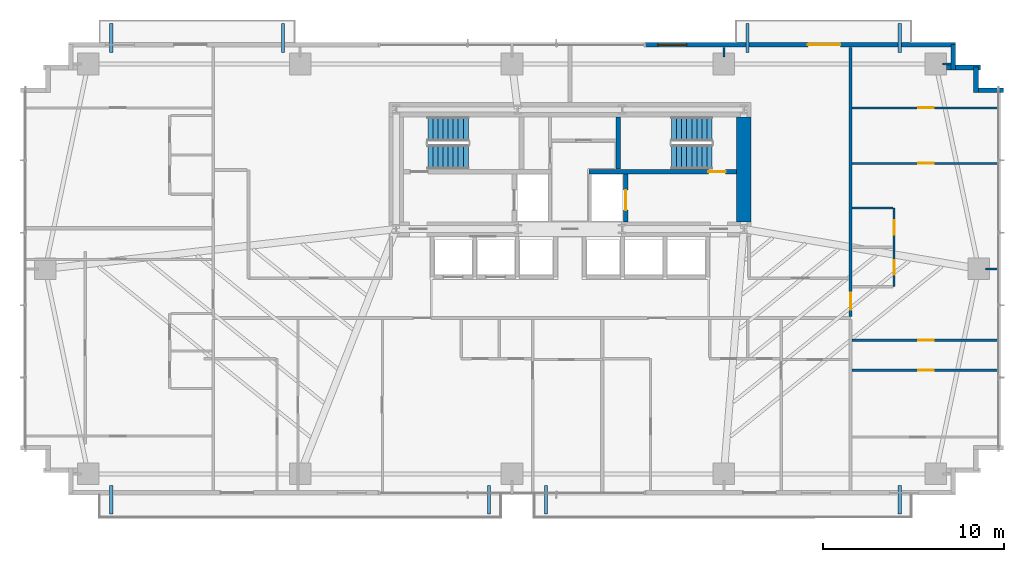
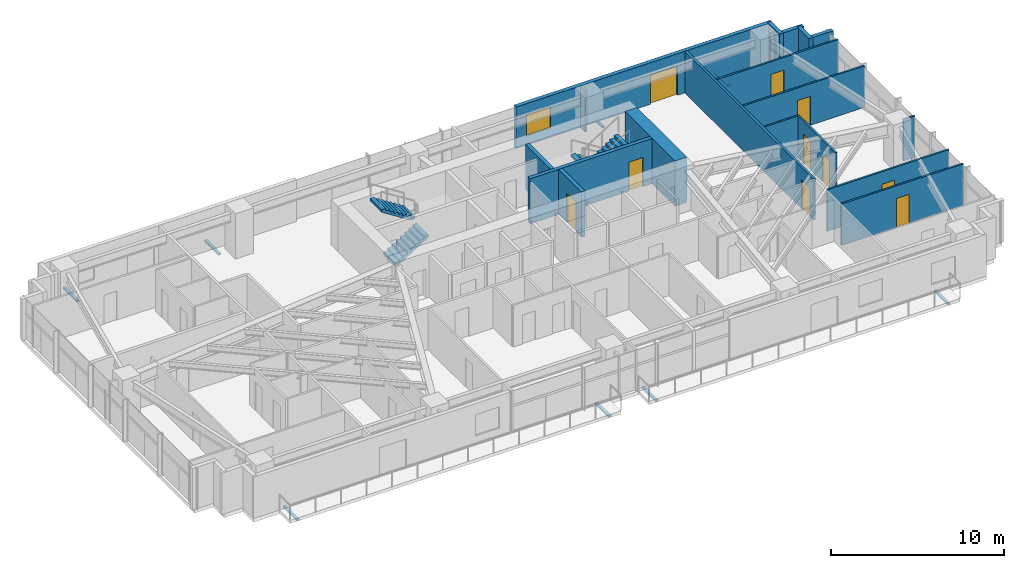
# One storey, part 22 of 25: 19 walls, 10 doors, 8 discrete accessories, 4 stair flights, 1 window, 11 openings, 2 elements without a shape of their own.
"""IFC4 building model written with IfcOpenShell, lengths in metres."""

from ifc_helpers import new_model, si_unit, direction, frame, frame_2d, origin, origin_2d, place, context, subcontext, project, spatial, polyline, rectangle, outline, extrude, source, transform, mapped, material, layer, layer_set, type_object, type_shapes, element, fill, aggregate, save


model = new_model("IFC4")

# Units and contexts
model_context = context("Model", 3, precision=1e-05, world=origin(), true_north=direction((0.0, 1.0)))
body_context = subcontext(model_context, "Body", "Model", "MODEL_VIEW")
ifc_project = project(units=[si_unit("LENGTHUNIT", "METRE"), si_unit("AREAUNIT", "SQUARE_METRE"), si_unit("VOLUMEUNIT", "CUBIC_METRE"), si_unit("PLANEANGLEUNIT", "RADIAN"), si_unit("MASSUNIT", "GRAM", prefix="KILO")], contexts=[model_context])

# Site, building, storey
site_placement = place(None, origin())
site = spatial("IfcSite", under=ifc_project, at=site_placement, CompositionType="ELEMENT")
building_placement = place(site_placement, origin())
building = spatial("IfcBuilding", under=site, at=building_placement, Name="Astriad Promenade Condominiums", CompositionType="ELEMENT")
storey_placement = place(building_placement, frame((0.0, 0.0, 35.800048828125)))
storey = spatial("IfcBuildingStorey", under=building, at=storey_placement, Name="L09", CompositionType="ELEMENT", Elevation=35.800048828125)

# Wall
ifc_material_1 = material(Name="Concrete C80/95", Category="concrete")
ifc_layer_1 = layer(ifc_material_1, 0.800048828125)
ifc_layer_set_1 = layer_set([ifc_layer_1], Name="Concrete C80/95")
wall_type_1 = type_object("IfcWallType", Name="CW-SHEAR-800", PredefinedType="SHEAR", material=ifc_layer_set_1)
wall_1_placement = place(storey_placement, frame((45.60009765625, 17.802001953125, 0.0), z_axis=(0.0, 0.0, 1.0), x_axis=(0.0, 1.0, 0.0)))
element("IfcWall", 1, at=wall_1_placement, inside=storey, type_object=wall_type_1, Name="CW-CORE-E-L09", PredefinedType="SHEAR", context=body_context, shape_type="SweptSolid", body=[
    extrude(rectangle(XDim=5.7958984375, YDim=0.800048828125, at=frame_2d((2.89794921875, 0.0))), origin(), (0.0, 0.0, 1.0), 3.199951171875),
])

# Wall, opening, door
ifc_material_2 = material(Name="Concrete C50/60", Category="concrete")
ifc_layer_2 = layer(ifc_material_2, 0.25)
ifc_layer_set_2 = layer_set([ifc_layer_2], Name="Concrete C50/60")
wall_type_2 = type_object("IfcWallType", Name="WALL-CORE-INT-250", PredefinedType="SOLIDWALL", material=ifc_layer_set_2)
wall_2_placement = place(storey_placement, frame((37.050048828125, 20.574951171875, 0.0), z_axis=(0.0, 0.0, 1.0), x_axis=(1.0, 0.0, 0.0)))
wall_2 = element("IfcWall", 2, at=wall_2_placement, inside=storey, type_object=wall_type_2, Name="CW-INT-H2-L09", PredefinedType="SOLIDWALL", context=body_context, shape_type="SweptSolid", body=[
    extrude(rectangle(XDim=8.14794921875, YDim=0.25, at=frame_2d((4.073974609375, 0.0))), origin(), (0.0, 0.0, 1.0), 3.199951171875),
])
opening_1_placement = place(wall_2_placement, frame((6.60009765625, 0.0, 0.0)))
opening_1 = element("IfcOpeningElement", 3, at=opening_1_placement, cuts=wall_2, Name="Opening FD90-ST-095", PredefinedType="OPENING", context=body_context, shape_type="SweptSolid", body=[
    extrude(rectangle(XDim=0.949951171875, YDim=2.06005859375, at=frame_2d((0.47509765625, 1.030029296875))), frame((0.0, 0.135009765625, 0.0), z_axis=(0.0, -1.0, 0.0), x_axis=(1.0, 0.0, 0.0)), (0.0, 0.0, 1.0), 0.27001953125),
])
ifc_material_3 = material(Name="Fire-Rated Hollow Metal Stair Door")
door_type_1 = type_object("IfcDoorType", Name="FD90-ST-095", OperationType="NOTDEFINED", PredefinedType="DOOR", material=ifc_material_3)
shared_shape_1 = source(origin(), body_context, "Body", "SweptSolid", [
    extrude(rectangle(XDim=0.949951171875, YDim=2.06005859375, at=frame_2d((0.47509765625, 1.030029296875))), frame((0.0, 0.02490234375, 0.0), z_axis=(0.0, -1.0, 0.0), x_axis=(1.0, 0.0, 0.0)), (0.0, 0.0, 1.0), 0.050048828125),
])
type_shapes(door_type_1, [shared_shape_1])
door_1_placement = place(opening_1_placement, origin())
door_1 = element("IfcDoor", 4, at=door_1_placement, inside=storey, type_object=door_type_1, Name="D-ST2-L09", OperationType="SINGLE_SWING_RIGHT", OverallHeight=2.06005859375, OverallWidth=0.949951171875, PredefinedType="DOOR", context=body_context, shape_type="MappedRepresentation", body=[
    mapped(shared_shape_1, transform((0.0, 0.0, 0.0), scale=1.0)),
])
fill(opening_1, door_1)

# Wall
wall_3_placement = place(storey_placement, frame((38.675048828125, 20.701904296875, 0.0), z_axis=(0.0, 0.0, 1.0), x_axis=(0.0, 1.0, 0.0)))
element("IfcWall", 5, at=wall_3_placement, inside=storey, type_object=wall_type_2, Name="CW-ST2-W-L09", PredefinedType="SOLIDWALL", context=body_context, shape_type="SweptSolid", body=[
    extrude(rectangle(XDim=2.89599609375, YDim=0.25, at=frame_2d((1.447998046875, 0.0))), origin(), (0.0, 0.0, 1.0), 3.199951171875),
])

# Wall, opening, door
wall_4_placement = place(storey_placement, frame((39.074951171875, 17.802001953125, 0.0), z_axis=(0.0, 0.0, 1.0), x_axis=(0.0, 1.0, 0.0)))
wall_4 = element("IfcWall", 6, at=wall_4_placement, inside=storey, type_object=wall_type_2, Name="CW-FFL2-E-L09", PredefinedType="SOLIDWALL", context=body_context, shape_type="SweptSolid", body=[
    extrude(rectangle(XDim=2.64599609375, YDim=0.25, at=frame_2d((1.322998046875, 0.0))), origin(), (0.0, 0.0, 1.0), 3.199951171875),
])
opening_2_placement = place(wall_4_placement, frame((0.64794921875, 0.0, 0.0)))
opening_2 = element("IfcOpeningElement", 7, at=opening_2_placement, cuts=wall_4, Name="Opening LD-FFL-1122", PredefinedType="OPENING", context=body_context, shape_type="SweptSolid", body=[
    extrude(rectangle(XDim=1.10009765625, YDim=2.080078125, at=frame_2d((0.550048828125, 1.0400390625))), frame((0.0, 0.135009765625, 0.0), z_axis=(0.0, -1.0, 0.0), x_axis=(1.0, 0.0, 0.0)), (0.0, 0.0, 1.0), 0.27001953125),
])
ifc_material_4 = material(Name="Brushed Stainless Steel Fire Elevator Landing Door", Category="steel")
door_type_2 = type_object("IfcDoorType", Name="LD-FFL-1122", OperationType="NOTDEFINED", PredefinedType="DOOR", material=ifc_material_4)
shared_shape_2 = source(origin(), body_context, "Body", "SweptSolid", [
    extrude(rectangle(XDim=1.10009765625, YDim=2.080078125, at=frame_2d((0.550048828125, 1.0400390625))), frame((0.0, 0.02490234375, 0.0), z_axis=(0.0, -1.0, 0.0), x_axis=(1.0, 0.0, 0.0)), (0.0, 0.0, 1.0), 0.050048828125),
])
type_shapes(door_type_2, [shared_shape_2])
door_2_placement = place(opening_2_placement, origin())
door_2 = element("IfcDoor", 8, at=door_2_placement, inside=storey, type_object=door_type_2, Name="Elevator Landing Door FFL-2 (L09)", OperationType="SLIDING_TO_RIGHT", OverallHeight=2.080078125, OverallWidth=1.10009765625, PredefinedType="DOOR", context=body_context, shape_type="MappedRepresentation", body=[
    mapped(shared_shape_2, transform((0.0, 0.0, 0.0), scale=1.0)),
])
fill(opening_2, door_2)

ifc_material_5 = material(Name="Fire-Rated Gypsum Partition")
ifc_layer_3 = layer(ifc_material_5, 0.159912109375)
ifc_layer_set_3 = layer_set([ifc_layer_3], Name="Fire-Rated Gypsum Partition")
wall_type_3 = type_object("IfcWallType", Name="WALL-CORR-160", PredefinedType="PARTITIONING", material=ifc_layer_set_3)
wall_5_placement = place(storey_placement, frame((51.5, 12.572021484375, 0.0), z_axis=(0.0, 0.0, 1.0), x_axis=(0.0, 1.0, 0.0)))
wall_5 = element("IfcWall", 9, at=wall_5_placement, inside=storey, type_object=wall_type_3, Name="PT-COR-E-L09-S2", PredefinedType="PARTITIONING", context=body_context, shape_type="SweptSolid", body=[
    extrude(rectangle(XDim=14.865966796875, YDim=0.159912109375, at=frame_2d((7.43310546875, 0.0))), origin(), (0.0, 0.0, 1.0), 2.93994140625),
])
opening_3_placement = place(wall_5_placement, frame((0.3701171875, 0.0, 0.0)))
opening_3 = element("IfcOpeningElement", 10, at=opening_3_placement, cuts=wall_5, Name="Opening FD60-APT-095", PredefinedType="OPENING", context=body_context, shape_type="SweptSolid", body=[
    extrude(rectangle(XDim=0.949951171875, YDim=2.06005859375, at=frame_2d((0.47509765625, 1.030029296875))), frame((0.0, 0.08984375, 0.0), z_axis=(0.0, -1.0, 0.0), x_axis=(1.0, 0.0, 0.0)), (0.0, 0.0, 1.0), 0.179931640625),
])
ifc_material_6 = material(Name="Solid-Core Acoustic Timber Residence Entry Door", Category="wood")
door_type_3 = type_object("IfcDoorType", Name="FD60-APT-095", OperationType="NOTDEFINED", PredefinedType="DOOR", material=ifc_material_6)
shared_shape_3 = source(origin(), body_context, "Body", "SweptSolid", [
    extrude(rectangle(XDim=0.949951171875, YDim=2.06005859375, at=frame_2d((0.47509765625, 1.030029296875))), frame((0.0, 0.02490234375, 0.0), z_axis=(0.0, -1.0, 0.0), x_axis=(1.0, 0.0, 0.0)), (0.0, 0.0, 1.0), 0.050048828125),
])
type_shapes(door_type_3, [shared_shape_3])
door_3_placement = place(opening_3_placement, origin())
door_3 = element("IfcDoor", 11, at=door_3_placement, inside=storey, type_object=door_type_3, Name="D-ENT-L09-E1", OperationType="SINGLE_SWING_LEFT", OverallHeight=2.06005859375, OverallWidth=0.949951171875, PredefinedType="DOOR", context=body_context, shape_type="MappedRepresentation", body=[
    mapped(shared_shape_3, transform((0.0, 0.0, 0.0), scale=1.0)),
])
fill(opening_3, door_3)

# Wall, openings, door, window
ifc_material_7 = material(Name="Precast concrete C50/60", Category="concrete")
ifc_layer_4 = layer(ifc_material_7, 0.260009765625)
ifc_layer_set_4 = layer_set([ifc_layer_4], Name="Precast concrete C50/60")
wall_type_4 = type_object("IfcWallType", Name="WALL-EXT-TWR-260", PredefinedType="STANDARD", material=ifc_layer_set_4)
wall_6_placement = place(storey_placement, frame((40.14990234375, 27.570068359375, 0.0), z_axis=(0.0, 0.0, 1.0), x_axis=(1.0, 0.0, 0.0)))
wall_6 = element("IfcWall", 12, at=wall_6_placement, inside=storey, type_object=wall_type_4, Name="W-EXT-L09-N2", PredefinedType="STANDARD", context=body_context, shape_type="SweptSolid", body=[
    extrude(rectangle(XDim=17.150146484375, YDim=0.260009765625, at=frame_2d((8.5751953125, 0.0))), origin(), (0.0, 0.0, 1.0), 2.93994140625),
])
opening_4_placement = place(wall_6_placement, frame((8.989990234375, 0.0, 0.0)))
opening_4 = element("IfcOpeningElement", 13, at=opening_4_placement, cuts=wall_6, Name="Opening BD-1822-SLD", PredefinedType="OPENING", context=body_context, shape_type="SweptSolid", body=[
    extrude(rectangle(XDim=1.800048828125, YDim=2.06005859375, at=frame_2d((0.89990234375, 1.030029296875))), frame((0.0, 0.139892578125, 0.0), z_axis=(0.0, -1.0, 0.0), x_axis=(1.0, 0.0, 0.0)), (0.0, 0.0, 1.0), 0.280029296875),
])
opening_5_placement = place(wall_6_placement, frame((0.699951171875, 0.0, 0.64990234375)))
opening_5 = element("IfcOpeningElement", 14, at=opening_5_placement, cuts=wall_6, Name="Opening WIN-TWR-1620", PredefinedType="OPENING", context=body_context, shape_type="SweptSolid", body=[
    extrude(rectangle(XDim=1.60009765625, YDim=1.5, at=frame_2d((0.800048828125, 0.75))), frame((0.0, 0.139892578125, 0.0), z_axis=(0.0, -1.0, 0.0), x_axis=(1.0, 0.0, 0.0)), (0.0, 0.0, 1.0), 0.280029296875),
])
ifc_material_8 = material(Name="Thermally Broken Aluminium Sliding Balcony Door", Category="aluminium")
door_type_4 = type_object("IfcDoorType", Name="BD-1822-SLD", OperationType="NOTDEFINED", PredefinedType="DOOR", material=ifc_material_8)
shared_shape_4 = source(origin(), body_context, "Body", "SweptSolid", [
    extrude(rectangle(XDim=1.800048828125, YDim=2.06005859375, at=frame_2d((0.89990234375, 1.030029296875))), frame((0.0, 0.02490234375, 0.0), z_axis=(0.0, -1.0, 0.0), x_axis=(1.0, 0.0, 0.0)), (0.0, 0.0, 1.0), 0.050048828125),
])
type_shapes(door_type_4, [shared_shape_4])
door_4_placement = place(opening_4_placement, origin())
door_4 = element("IfcDoor", 15, at=door_4_placement, inside=storey, type_object=door_type_4, Name="BD-L09-NE", OperationType="SLIDING_TO_RIGHT", OverallHeight=2.06005859375, OverallWidth=1.800048828125, PredefinedType="DOOR", context=body_context, shape_type="MappedRepresentation", body=[
    mapped(shared_shape_4, transform((0.0, 0.0, 0.0), scale=1.0)),
])
fill(opening_4, door_4)
ifc_material_9 = material(Name="Dark Tinted Triple-Glazed Aluminium Window", Category="aluminium")
window_type = type_object("IfcWindowType", Name="WIN-TWR-1620", PartitioningType="SINGLE_PANEL", PredefinedType="WINDOW", material=ifc_material_9)
shared_shape_5 = source(origin(), body_context, "Body", "SweptSolid", [
    extrude(rectangle(XDim=1.60009765625, YDim=1.5, at=frame_2d((0.800048828125, 0.75))), frame((0.0, 0.030029296875, 0.0), z_axis=(0.0, -1.0, 0.0), x_axis=(1.0, 0.0, 0.0)), (0.0, 0.0, 1.0), 0.06005859375),
])
type_shapes(window_type, [shared_shape_5])
window_placement = place(opening_5_placement, origin())
window = element("IfcWindow", 16, at=window_placement, inside=storey, type_object=window_type, Name="WIN-L09-NE", OverallHeight=1.5, OverallWidth=1.60009765625, PartitioningType="SINGLE_PANEL", PredefinedType="WINDOW", context=body_context, shape_type="MappedRepresentation", body=[
    mapped(shared_shape_5, transform((0.0, 0.0, 0.0), scale=1.0)),
])
fill(opening_5, window)

# Walls
wall_7_placement = place(storey_placement, frame((57.169921875, 27.5849609375, 0.0), z_axis=(0.0, 0.0, 1.0), x_axis=(0.0, -1.0, 0.0)))
element("IfcWall", 17, at=wall_7_placement, inside=storey, type_object=wall_type_4, Name="W-SER-L09-09", PredefinedType="STANDARD", context=body_context, shape_type="SweptSolid", body=[
    extrude(rectangle(XDim=1.39501953125, YDim=0.260009765625, at=frame_2d((0.697509765625, 0.0))), origin(), (0.0, 0.0, 1.0), 2.93994140625),
])
wall_8_placement = place(storey_placement, frame((56.802001953125, 26.320068359375, 0.0), z_axis=(0.0, 0.0, 1.0), x_axis=(1.0, 0.0, 0.0)))
element("IfcWall", 18, at=wall_8_placement, inside=storey, type_object=wall_type_4, Name="W-SER-L09-10", PredefinedType="STANDARD", context=body_context, shape_type="SweptSolid", body=[
    extrude(rectangle(XDim=1.8779296875, YDim=0.260009765625, at=frame_2d((0.93896484375, 0.0))), origin(), (0.0, 0.0, 1.0), 2.93994140625),
])
for number, where, z_axis, x_axis, name in (
    (19, (58.419921875, 26.3349609375, 0.0), (0.0, 0.0, 1.0), (0.0, -1.0, 0.0), "W-SER-L09-11"),
    (20, (58.534912109375, 25.070068359375, 0.0), (0.0, 0.0, 1.0), (1.0, 0.0, 0.0), "W-SER-L09-12"),
):
    element("IfcWall", number, at=place(storey_placement, frame(where, z_axis=z_axis, x_axis=x_axis)), inside=storey, type_object=wall_type_4, Name=name, PredefinedType="STANDARD", context=body_context, shape_type="SweptSolid", body=[
        extrude(rectangle(XDim=1.39501953125, YDim=0.260009765625, at=frame_2d((0.697509765625, 0.0))), origin(), (0.0, 0.0, 1.0), 2.93994140625),
    ])

# Wall, openings, doors
ifc_material_10 = material(Name="Acoustic Metal-Stud Gypsum Partition")
ifc_layer_5 = layer(ifc_material_10, 0.1201171875)
ifc_layer_set_5 = layer_set([ifc_layer_5], Name="Acoustic Metal-Stud Gypsum Partition")
wall_type_5 = type_object("IfcWallType", Name="WALL-PART-120", PredefinedType="PARTITIONING", material=ifc_layer_set_5)
wall_9_placement = place(storey_placement, frame((53.89990234375, 14.217041015625, 0.0), z_axis=(0.0, 0.0, 1.0), x_axis=(0.0, 1.0, 0.0)))
wall_9 = element("IfcWall", 21, at=wall_9_placement, inside=storey, type_object=wall_type_5, Name="PT-L09-E1-PV", PredefinedType="PARTITIONING", context=body_context, shape_type="SweptSolid", body=[
    extrude(rectangle(XDim=4.349853515625, YDim=0.1201171875, at=frame_2d((2.1748046875, 0.0))), origin(), (0.0, 0.0, 1.0), 2.93994140625),
])
opening_6_placement = place(wall_9_placement, frame((0.6630859375, 0.0, 0.0)))
opening_6 = element("IfcOpeningElement", 22, at=opening_6_placement, cuts=wall_9, Name="Opening D-ULOW-080", PredefinedType="OPENING", context=body_context, shape_type="SweptSolid", body=[
    extrude(rectangle(XDim=0.800048828125, YDim=2.0, at=frame_2d((0.39990234375, 1.0))), frame((0.0, 0.070068359375, 0.0), z_axis=(0.0, -1.0, 0.0), x_axis=(1.0, 0.0, 0.0)), (0.0, 0.0, 1.0), 0.14013671875),
])
opening_7_placement = place(wall_9_placement, frame((2.863037109375, 0.0, 0.0)))
opening_7 = element("IfcOpeningElement", 23, at=opening_7_placement, cuts=wall_9, Name="Opening D-WET-080", PredefinedType="OPENING", context=body_context, shape_type="SweptSolid", body=[
    extrude(rectangle(XDim=0.800048828125, YDim=2.02001953125, at=frame_2d((0.39990234375, 1.010009765625))), frame((0.0, 0.070068359375, 0.0), z_axis=(0.0, -1.0, 0.0), x_axis=(1.0, 0.0, 0.0)), (0.0, 0.0, 1.0), 0.14013671875),
])
ifc_material_11 = material(Name="Moisture-Resistant Timber Bathroom Door", Category="wood")
door_type_5 = type_object("IfcDoorType", Name="D-WET-080", OperationType="NOTDEFINED", PredefinedType="DOOR", material=ifc_material_11)
shared_shape_6 = source(origin(), body_context, "Body", "SweptSolid", [
    extrude(rectangle(XDim=0.800048828125, YDim=2.02001953125, at=frame_2d((0.39990234375, 1.010009765625))), frame((0.0, 0.02490234375, 0.0), z_axis=(0.0, -1.0, 0.0), x_axis=(1.0, 0.0, 0.0)), (0.0, 0.0, 1.0), 0.050048828125),
])
type_shapes(door_type_5, [shared_shape_6])
door_5_placement = place(opening_7_placement, origin())
door_5 = element("IfcDoor", 24, at=door_5_placement, inside=storey, type_object=door_type_5, Name="D-BTH-L09-E1", OperationType="SINGLE_SWING_LEFT", OverallHeight=2.02001953125, OverallWidth=0.800048828125, PredefinedType="DOOR", context=body_context, shape_type="MappedRepresentation", body=[
    mapped(shared_shape_6, transform((0.0, 0.0, 0.0), scale=1.0)),
])
fill(opening_7, door_5)
ifc_material_12 = material(Name="Painted Timber Low-Headroom Door", Category="wood")
door_type_6 = type_object("IfcDoorType", Name="D-ULOW-080", OperationType="NOTDEFINED", PredefinedType="DOOR", material=ifc_material_12)
shared_shape_7 = source(origin(), body_context, "Body", "SweptSolid", [
    extrude(rectangle(XDim=0.800048828125, YDim=2.0, at=frame_2d((0.39990234375, 1.0))), frame((0.0, 0.02490234375, 0.0), z_axis=(0.0, -1.0, 0.0), x_axis=(1.0, 0.0, 0.0)), (0.0, 0.0, 1.0), 0.050048828125),
])
type_shapes(door_type_6, [shared_shape_7])
door_6_placement = place(opening_6_placement, origin())
door_6 = element("IfcDoor", 25, at=door_6_placement, inside=storey, type_object=door_type_6, Name="D-KIT-L09-E1", OperationType="SINGLE_SWING_RIGHT", OverallHeight=2.0, OverallWidth=0.800048828125, PredefinedType="DOOR", context=body_context, shape_type="MappedRepresentation", body=[
    mapped(shared_shape_7, transform((0.0, 0.0, 0.0), scale=1.0)),
])
fill(opening_6, door_6)

# Wall
wall_10_placement = place(storey_placement, frame((51.58203125, 18.56689453125, 0.0), z_axis=(0.0, 0.0, 1.0), x_axis=(1.0, 0.0, 0.0)))
element("IfcWall", 26, at=wall_10_placement, inside=storey, type_object=wall_type_5, Name="PT-L09-E1-PN", PredefinedType="PARTITIONING", context=body_context, shape_type="SweptSolid", body=[
    extrude(rectangle(XDim=2.255859375, YDim=0.1201171875, at=frame_2d((1.1279296875, 0.0))), origin(), (0.0, 0.0, 1.0), 2.93994140625),
])

# Wall, opening, door
wall_11_placement = place(storey_placement, frame((51.58203125, 24.090087890625, 0.0), z_axis=(0.0, 0.0, 1.0), x_axis=(1.0, 0.0, 0.0)))
wall_11 = element("IfcWall", 27, at=wall_11_placement, inside=storey, type_object=wall_type_5, Name="PT-L09-E1-B1", PredefinedType="PARTITIONING", context=body_context, shape_type="SweptSolid", body=[
    extrude(rectangle(XDim=8.137939453125, YDim=0.1201171875, at=frame_2d((4.06884765625, 0.0))), origin(), (0.0, 0.0, 1.0), 2.93994140625),
])
opening_8_placement = place(wall_11_placement, frame((3.653076171875, 0.0, 0.0)))
opening_8 = element("IfcOpeningElement", 28, at=opening_8_placement, cuts=wall_11, Name="Opening D-INT-085", PredefinedType="OPENING", context=body_context, shape_type="SweptSolid", body=[
    extrude(rectangle(XDim=0.85009765625, YDim=2.050048828125, at=frame_2d((0.425048828125, 1.02490234375))), frame((0.0, 0.070068359375, 0.0), z_axis=(0.0, -1.0, 0.0), x_axis=(1.0, 0.0, 0.0)), (0.0, 0.0, 1.0), 0.14013671875),
])
ifc_material_13 = material(Name="Painted Solid-Core Timber Room Door", Category="wood")
door_type_7 = type_object("IfcDoorType", Name="D-INT-085", OperationType="NOTDEFINED", PredefinedType="DOOR", material=ifc_material_13)
shared_shape_8 = source(origin(), body_context, "Body", "SweptSolid", [
    extrude(rectangle(XDim=0.85009765625, YDim=2.050048828125, at=frame_2d((0.425048828125, 1.02490234375))), frame((0.0, 0.02490234375, 0.0), z_axis=(0.0, -1.0, 0.0), x_axis=(1.0, 0.0, 0.0)), (0.0, 0.0, 1.0), 0.050048828125),
])
type_shapes(door_type_7, [shared_shape_8])
door_7_placement = place(opening_8_placement, origin())
door_7 = element("IfcDoor", 29, at=door_7_placement, inside=storey, type_object=door_type_7, Name="D-BD1-L09-E1", OperationType="SINGLE_SWING_RIGHT", OverallHeight=2.050048828125, OverallWidth=0.85009765625, PredefinedType="DOOR", context=body_context, shape_type="MappedRepresentation", body=[
    mapped(shared_shape_8, transform((0.0, 0.0, 0.0), scale=1.0)),
])
fill(opening_8, door_7)

wall_12_placement = place(storey_placement, frame((51.58203125, 9.597900390625, 0.0), z_axis=(0.0, 0.0, 1.0), x_axis=(1.0, 0.0, 0.0)))
wall_12 = element("IfcWall", 30, at=wall_12_placement, inside=storey, type_object=wall_type_5, Name="PT-L09-E1-WDS1", PredefinedType="PARTITIONING", context=body_context, shape_type="SweptSolid", body=[
    extrude(rectangle(XDim=8.137939453125, YDim=0.1201171875, at=frame_2d((4.06884765625, 0.0))), origin(), (0.0, 0.0, 1.0), 2.93994140625),
])
opening_9_placement = place(wall_12_placement, frame((3.653076171875, 0.0, 0.0)))
opening_9 = element("IfcOpeningElement", 31, at=opening_9_placement, cuts=wall_12, Name="Opening D-INT-085", PredefinedType="OPENING", context=body_context, shape_type="SweptSolid", body=[
    extrude(rectangle(XDim=0.85009765625, YDim=2.050048828125, at=frame_2d((0.425048828125, 1.02490234375))), frame((0.0, 0.070068359375, 0.0), z_axis=(0.0, -1.0, 0.0), x_axis=(1.0, 0.0, 0.0)), (0.0, 0.0, 1.0), 0.14013671875),
])
door_8_placement = place(opening_9_placement, origin())
door_8 = element("IfcDoor", 32, at=door_8_placement, inside=storey, type_object=door_type_7, Name="D-WDS1-L09-E1", OperationType="SINGLE_SWING_RIGHT", OverallHeight=2.050048828125, OverallWidth=0.85009765625, PredefinedType="DOOR", context=body_context, shape_type="MappedRepresentation", body=[
    mapped(shared_shape_8, transform((0.0, 0.0, 0.0), scale=1.0)),
])
fill(opening_9, door_8)

wall_13_placement = place(storey_placement, frame((51.58203125, 21.02490234375, 0.0), z_axis=(0.0, 0.0, 1.0), x_axis=(1.0, 0.0, 0.0)))
wall_13 = element("IfcWall", 33, at=wall_13_placement, inside=storey, type_object=wall_type_5, Name="PT-L09-E1-WDN2", PredefinedType="PARTITIONING", context=body_context, shape_type="SweptSolid", body=[
    extrude(rectangle(XDim=8.137939453125, YDim=0.1201171875, at=frame_2d((4.06884765625, 0.0))), origin(), (0.0, 0.0, 1.0), 2.93994140625),
])
opening_10_placement = place(wall_13_placement, frame((3.653076171875, 0.0, 0.0)))
opening_10 = element("IfcOpeningElement", 34, at=opening_10_placement, cuts=wall_13, Name="Opening D-INT-085", PredefinedType="OPENING", context=body_context, shape_type="SweptSolid", body=[
    extrude(rectangle(XDim=0.85009765625, YDim=2.050048828125, at=frame_2d((0.425048828125, 1.02490234375))), frame((0.0, 0.070068359375, 0.0), z_axis=(0.0, -1.0, 0.0), x_axis=(1.0, 0.0, 0.0)), (0.0, 0.0, 1.0), 0.14013671875),
])
door_9_placement = place(opening_10_placement, origin())
door_9 = element("IfcDoor", 35, at=door_9_placement, inside=storey, type_object=door_type_7, Name="D-WDN2-L09-E1", OperationType="SINGLE_SWING_LEFT", OverallHeight=2.050048828125, OverallWidth=0.85009765625, PredefinedType="DOOR", context=body_context, shape_type="MappedRepresentation", body=[
    mapped(shared_shape_8, transform((0.0, 0.0, 0.0), scale=1.0)),
])
fill(opening_10, door_9)

wall_14_placement = place(storey_placement, frame((51.58203125, 11.258056640625, 0.0), z_axis=(0.0, 0.0, 1.0), x_axis=(1.0, 0.0, 0.0)))
wall_14 = element("IfcWall", 36, at=wall_14_placement, inside=storey, type_object=wall_type_5, Name="PT-L09-E1-WDS3", PredefinedType="PARTITIONING", context=body_context, shape_type="SweptSolid", body=[
    extrude(rectangle(XDim=8.137939453125, YDim=0.1201171875, at=frame_2d((4.06884765625, 0.0))), origin(), (0.0, 0.0, 1.0), 2.93994140625),
])
opening_11_placement = place(wall_14_placement, frame((3.653076171875, 0.0, 0.0)))
opening_11 = element("IfcOpeningElement", 37, at=opening_11_placement, cuts=wall_14, Name="Opening D-INT-085", PredefinedType="OPENING", context=body_context, shape_type="SweptSolid", body=[
    extrude(rectangle(XDim=0.85009765625, YDim=2.050048828125, at=frame_2d((0.425048828125, 1.02490234375))), frame((0.0, 0.070068359375, 0.0), z_axis=(0.0, -1.0, 0.0), x_axis=(1.0, 0.0, 0.0)), (0.0, 0.0, 1.0), 0.14013671875),
])
door_10_placement = place(opening_11_placement, origin())
door_10 = element("IfcDoor", 38, at=door_10_placement, inside=storey, type_object=door_type_7, Name="D-WDS3-L09-E1", OperationType="SINGLE_SWING_RIGHT", OverallHeight=2.050048828125, OverallWidth=0.85009765625, PredefinedType="DOOR", context=body_context, shape_type="MappedRepresentation", body=[
    mapped(shared_shape_8, transform((0.0, 0.0, 0.0), scale=1.0)),
])
fill(opening_11, door_10)

# Walls
wall_15_placement = place(storey_placement, frame((44.5, 26.89990234375, 0.0), z_axis=(0.0, 0.0, 1.0), x_axis=(0.0, 1.0, 0.0)))
element("IfcWall", 39, at=wall_15_placement, inside=storey, type_object=wall_type_5, Name="PT-PIL-L09-PC09-16", PredefinedType="PARTITIONING", context=body_context, shape_type="SweptSolid", body=[
    extrude(rectangle(XDim=0.5380859375, YDim=0.1201171875, at=frame_2d((0.26904296875, 0.0))), origin(), (0.0, 0.0, 1.0), 2.93994140625),
])
wall_16_placement = place(storey_placement, frame((56.580078125, 26.52001953125, 0.0), z_axis=(0.0, 0.0, 1.0), x_axis=(1.0, 0.0, 0.0)))
element("IfcWall", 40, at=wall_16_placement, inside=storey, type_object=wall_type_5, Name="PT-PIL-L09-PC10-17", PredefinedType="PARTITIONING", context=body_context, shape_type="SweptSolid", body=[
    extrude(rectangle(XDim=0.4580078125, YDim=0.1201171875, at=frame_2d((0.22900390625, 0.0))), origin(), (0.0, 0.0, 1.0), 2.93994140625),
])
wall_17_placement = place(storey_placement, frame((58.9599609375, 15.199951171875, 0.0), z_axis=(0.0, 0.0, 1.0), x_axis=(1.0, 0.0, 0.0)))
element("IfcWall", 41, at=wall_17_placement, inside=storey, type_object=wall_type_5, Name="PT-PIL-L09-PC12-19", PredefinedType="PARTITIONING", context=body_context, shape_type="SweptSolid", body=[
    extrude(rectangle(XDim=0.760009765625, YDim=0.1201171875, at=frame_2d((0.3798828125, 0.0))), origin(), (0.0, 0.0, 1.0), 2.93994140625),
])

# Stair, stair flights
stair_type = type_object("IfcStairType", Name="STR-CORE-1350", PredefinedType="HALF_TURN_STAIR", material=ifc_material_2)
stair_1_placement = place(storey_placement, origin())
stair_1 = element("IfcStair", 42, at=stair_1_placement, inside=storey, type_object=stair_type, Name="L09 Enclosed Core Exit Stair ST-1", PredefinedType="HALF_TURN_STAIR")
stair_flight_type = type_object("IfcStairFlightType", Name="SFL-CORE-1350", PredefinedType="STRAIGHT", material=ifc_material_2)
shared_shape_9 = source(origin(), body_context, "Body", "SweptSolid", [
    extrude(outline(polyline([(0.0, 0.0), (0.0, 0.177734375), (0.280029296875, 0.177734375), (0.280029296875, 0.35546875), (0.56005859375, 0.35546875), (0.56005859375, 0.533447265625), (0.840087890625, 0.533447265625), (0.840087890625, 0.711181640625), (1.1201171875, 0.711181640625), (1.1201171875, 0.888916015625), (1.39990234375, 0.888916015625), (1.39990234375, 1.066650390625), (1.679931640625, 1.066650390625), (1.679931640625, 1.244384765625), (1.9599609375, 1.244384765625), (1.9599609375, 1.422119140625), (2.239990234375, 1.422119140625), (2.239990234375, 1.60009765625), (2.239990234375, 1.24462890625), (0.27978515625, 0.0), (0.0, 0.0)])), frame((0.0, 0.675048828125, 0.0), z_axis=(0.0, -1.0, 0.0), x_axis=(1.0, 0.0, 0.0)), (0.0, 0.0, 1.0), 1.35009765625),
])
type_shapes(stair_flight_type, [shared_shape_9])
stair_flight_1_placement = place(storey_placement, frame((28.14990234375, 21.375, 0.0), z_axis=(0.0, 0.0, 1.0), x_axis=(1.0, 0.0, 0.0)))
stair_flight_1 = element("IfcStairFlight", 43, at=stair_flight_1_placement, type_object=stair_flight_type, Name="ST-1 flight 1", NumberOfRisers=9, NumberOfTreads=8, PredefinedType="STRAIGHT", RiserHeight=0.177777778, TreadLength=0.28, context=body_context, shape_type="MappedRepresentation", body=[
    mapped(shared_shape_9, transform((0.0, 0.0, 0.0), scale=1.0)),
])
stair_flight_2_placement = place(storey_placement, frame((30.389892578125, 22.925048828125, 1.599853515625), z_axis=(0.0, 0.0, 1.0), x_axis=(-1.0, 0.0, 0.0)))
stair_flight_2 = element("IfcStairFlight", 44, at=stair_flight_2_placement, type_object=stair_flight_type, Name="ST-1 flight 2", NumberOfRisers=9, NumberOfTreads=8, PredefinedType="STRAIGHT", RiserHeight=0.177777778, TreadLength=0.28, context=body_context, shape_type="MappedRepresentation", body=[
    mapped(shared_shape_9, transform((0.0, 0.0, 0.0), scale=1.0)),
])
aggregate(stair_1, [stair_flight_1, stair_flight_2])

stair_2_placement = place(storey_placement, origin())
stair_2 = element("IfcStair", 45, at=stair_2_placement, inside=storey, type_object=stair_type, Name="L09 Enclosed Core Exit Stair ST-2", PredefinedType="HALF_TURN_STAIR")
stair_flight_3_placement = place(storey_placement, frame((43.85009765625, 22.925048828125, 0.0), z_axis=(0.0, 0.0, 1.0), x_axis=(-1.0, 0.0, 0.0)))
stair_flight_3 = element("IfcStairFlight", 46, at=stair_flight_3_placement, type_object=stair_flight_type, Name="ST-2 flight 1", NumberOfRisers=9, NumberOfTreads=8, PredefinedType="STRAIGHT", RiserHeight=0.177777778, TreadLength=0.28, context=body_context, shape_type="MappedRepresentation", body=[
    mapped(shared_shape_9, transform((0.0, 0.0, 0.0), scale=1.0)),
])
stair_flight_4_placement = place(storey_placement, frame((41.610107421875, 21.375, 1.599853515625), z_axis=(0.0, 0.0, 1.0), x_axis=(1.0, 0.0, 0.0)))
stair_flight_4 = element("IfcStairFlight", 47, at=stair_flight_4_placement, type_object=stair_flight_type, Name="ST-2 flight 2", NumberOfRisers=9, NumberOfTreads=8, PredefinedType="STRAIGHT", RiserHeight=0.177777778, TreadLength=0.28, context=body_context, shape_type="MappedRepresentation", body=[
    mapped(shared_shape_9, transform((0.0, 0.0, 0.0), scale=1.0)),
])
aggregate(stair_2, [stair_flight_3, stair_flight_4])

# Discrete accessories
ifc_material_14 = material(Name="Steel ASTM A572 Grade 50", Category="steel")
discrete_accessory_type = type_object("IfcDiscreteAccessoryType", Name="STEEL BALCONY OUTRIGGER BRACKET", PredefinedType="BRACKET", material=ifc_material_14)
shared_shape_10 = source(origin(), body_context, "Body", "SweptSolid", [
    extrude(rectangle(XDim=1.60009765625, YDim=0.179931640625, at=origin_2d()), origin(), (0.0, 0.0, 1.0), 0.1220703125),
])
type_shapes(discrete_accessory_type, [shared_shape_10])
for number, where, z_axis, x_axis, name in (
    (48, (10.672119140625, 2.449951171875, -0.340087890625), (0.0, 0.0, 1.0), (0.0, -1.0, 0.0), "Balcony Outrigger Bracket BAL-L09-SW-A"),
    (49, (31.527099609375, 2.449951171875, -0.340087890625), (0.0, 0.0, 1.0), (0.0, -1.0, 0.0), "Balcony Outrigger Bracket BAL-L09-SW-B"),
    (50, (34.681884765625, 2.449951171875, -0.340087890625), (0.0, 0.0, 1.0), (0.0, -1.0, 0.0), "Balcony Outrigger Bracket BAL-L09-SE-A"),
    (51, (54.2060546875, 2.449951171875, -0.340087890625), (0.0, 0.0, 1.0), (0.0, -1.0, 0.0), "Balcony Outrigger Bracket BAL-L09-SE-B"),
    (52, (10.672119140625, 27.949951171875, -0.340087890625), (0.0, 0.0, 1.0), (0.0, 1.0, 0.0), "Balcony Outrigger Bracket BAL-L09-NW-A"),
    (53, (20.14990234375, 27.949951171875, -0.340087890625), (0.0, 0.0, 1.0), (0.0, 1.0, 0.0), "Balcony Outrigger Bracket BAL-L09-NW-B"),
    (54, (45.81005859375, 27.949951171875, -0.340087890625), (0.0, 0.0, 1.0), (0.0, 1.0, 0.0), "Balcony Outrigger Bracket BAL-L09-NE-A"),
    (55, (54.2060546875, 27.949951171875, -0.340087890625), (0.0, 0.0, 1.0), (0.0, 1.0, 0.0), "Balcony Outrigger Bracket BAL-L09-NE-B"),
):
    element("IfcDiscreteAccessory", number, at=place(storey_placement, frame(where, z_axis=z_axis, x_axis=x_axis)), inside=storey, type_object=discrete_accessory_type, Name=name, PredefinedType="BRACKET", context=body_context, shape_type="MappedRepresentation", body=[
        mapped(shared_shape_10, transform((0.0, 0.0, 0.0), scale=1.0)),
    ])

save(model, "model.ifc")
